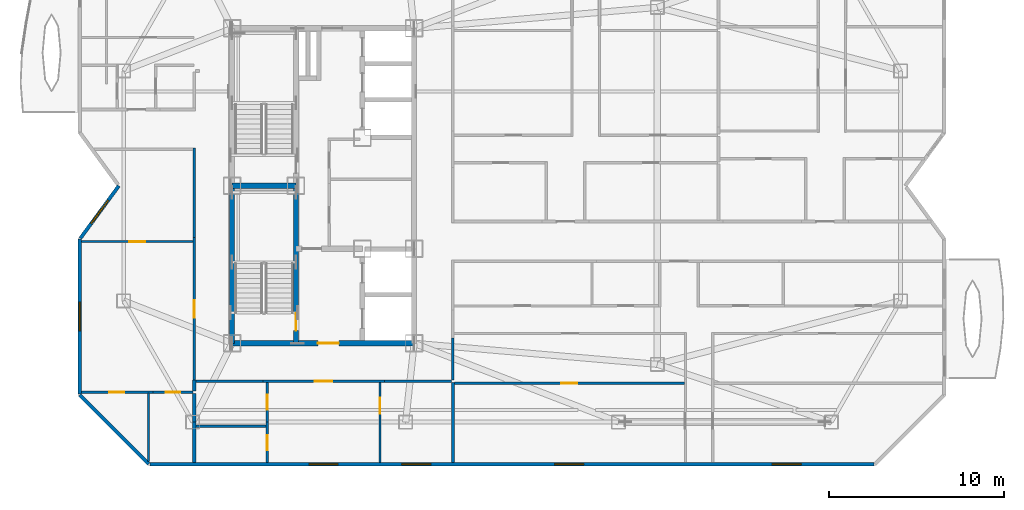
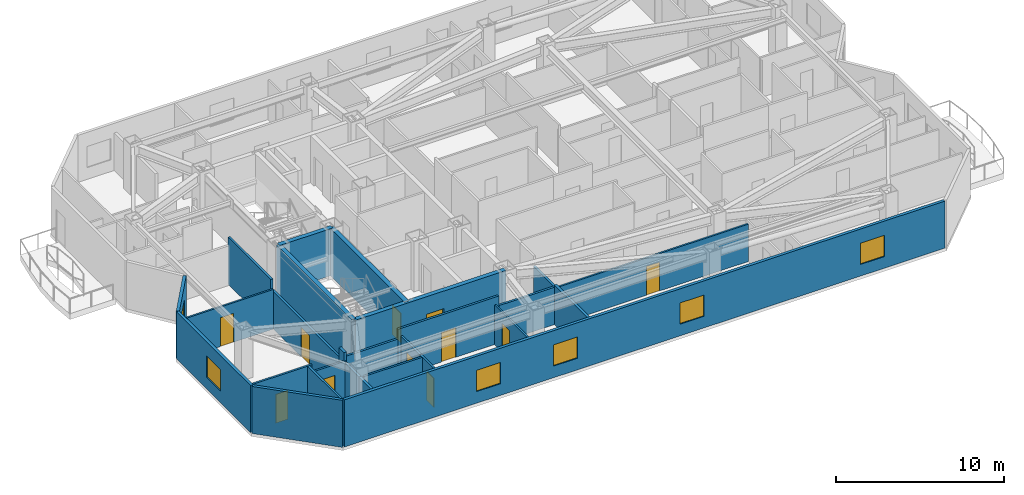
# One storey, part 4 of 11: 27 walls, 11 doors, 6 windows, 17 openings.
"""IFC4 building model written with IfcOpenShell, lengths in metres."""

from ifc_helpers import new_model, si_unit, direction, frame, frame_2d, origin, place, context, subcontext, project, spatial, rectangle, extrude, material, layer, layer_set, type_object, element, fill, save


model = new_model("IFC4")

# Units and contexts
model_context = context("Model", 3, precision=1e-05, world=origin(), true_north=direction((0.0, 1.0)))
body_context = subcontext(model_context, "Body", "Model", "MODEL_VIEW")
ifc_project = project(units=[si_unit("LENGTHUNIT", "METRE"), si_unit("AREAUNIT", "SQUARE_METRE"), si_unit("VOLUMEUNIT", "CUBIC_METRE"), si_unit("PLANEANGLEUNIT", "RADIAN"), si_unit("MASSUNIT", "GRAM", prefix="KILO")], contexts=[model_context])

# Site, building, storey
site_placement = place(None, origin())
site = spatial("IfcSite", under=ifc_project, at=site_placement, CompositionType="ELEMENT")
building_placement = place(site_placement, origin())
building = spatial("IfcBuilding", under=site, at=building_placement, Name="Khamvora Tower", CompositionType="ELEMENT")
storey_placement = place(building_placement, frame((0.0, 0.0, 239.10009765625)))
storey = spatial("IfcBuildingStorey", under=building, at=storey_placement, Name="L61", CompositionType="ELEMENT", Elevation=239.10009765625)

# Wall
ifc_material_1 = material(Name="Concrete C50/60", Category="concrete")
ifc_layer_1 = layer(ifc_material_1, 0.300048828125)
ifc_layer_set_1 = layer_set([ifc_layer_1], Name="Concrete C50/60")
wall_type_1 = type_object("IfcWallType", Name="WAL-CORE-300", PredefinedType="SHEAR", material=ifc_layer_set_1)
wall_1_placement = place(storey_placement, frame((29.0, 19.0, 0.0), z_axis=(0.0, 0.0, 1.0), x_axis=(0.0, 1.0, 0.0)))
element("IfcWall", 1, at=wall_1_placement, inside=storey, type_object=wall_type_1, Name="L61 central core west south wall", PredefinedType="SHEAR", context=body_context, shape_type="SweptSolid", body=[
    extrude(rectangle(XDim=9.0, YDim=0.300048828125, at=frame_2d((4.5, 0.0))), origin(), (0.0, 0.0, 1.0), 3.429931640625),
])

# Wall, opening, door
wall_2_placement = place(storey_placement, frame((29.0, 19.0, 0.0), z_axis=(0.0, 0.0, 1.0), x_axis=(1.0, 0.0, 0.0)))
wall_2 = element("IfcWall", 2, at=wall_2_placement, inside=storey, type_object=wall_type_1, Name="L61 central core south wall", PredefinedType="SHEAR", context=body_context, shape_type="SweptSolid", body=[
    extrude(rectangle(XDim=10.39990234375, YDim=0.300048828125, at=frame_2d((5.199951171875, 0.0))), origin(), (0.0, 0.0, 1.0), 3.429931640625),
])
opening_1_placement = place(wall_2_placement, frame((4.89990234375, 0.0, 0.0)))
opening_1 = element("IfcOpeningElement", 3, at=opening_1_placement, cuts=wall_2, Name="Opening D-CR1", PredefinedType="OPENING", context=body_context, shape_type="SweptSolid", body=[
    extrude(rectangle(XDim=1.199951171875, YDim=2.14990234375, at=frame_2d((0.60009765625, 1.074951171875))), frame((0.0, 0.159912109375, 0.0), z_axis=(0.0, -1.0, 0.0), x_axis=(1.0, 0.0, 0.0)), (0.0, 0.0, 1.0), 0.320068359375),
])
ifc_material_2 = material(Name="Powder-Coated Steel and Hardwood Leaf", Category="steel")
door_type_1 = type_object("IfcDoorType", Name="DOR-CORR-1200", OperationType="NOTDEFINED", PredefinedType="DOOR", material=ifc_material_2)
door_1_placement = place(opening_1_placement, origin())
door_1 = element("IfcDoor", 4, at=door_1_placement, inside=storey, type_object=door_type_1, Name="L61 south core lobby to corridor fire door", OperationType="SINGLE_SWING_LEFT", OverallHeight=2.14990234375, OverallWidth=1.199951171875, PredefinedType="DOOR", context=body_context, shape_type="SweptSolid", body=[
    extrude(rectangle(XDim=1.199951171875, YDim=2.14990234375, at=frame_2d((0.60009765625, 1.074951171875))), frame((0.0, 0.02490234375, 0.0), z_axis=(0.0, -1.0, 0.0), x_axis=(1.0, 0.0, 0.0)), (0.0, 0.0, 1.0), 0.050048828125),
])
fill(opening_1, door_1)

wall_3_placement = place(storey_placement, frame((32.64990234375, 19.0, 0.0), z_axis=(0.0, 0.0, 1.0), x_axis=(0.0, 1.0, 0.0)))
wall_3 = element("IfcWall", 5, at=wall_3_placement, inside=storey, type_object=wall_type_1, Name="L61 central core stair south spine wall", PredefinedType="SHEAR", context=body_context, shape_type="SweptSolid", body=[
    extrude(rectangle(XDim=9.0, YDim=0.300048828125, at=frame_2d((4.5, 0.0))), origin(), (0.0, 0.0, 1.0), 3.429931640625),
])
opening_2_placement = place(wall_3_placement, frame((0.719970703125, 0.0, 0.0)))
opening_2 = element("IfcOpeningElement", 6, at=opening_2_placement, cuts=wall_3, Name="Opening D-ST1", PredefinedType="OPENING", context=body_context, shape_type="SweptSolid", body=[
    extrude(rectangle(XDim=1.0, YDim=2.14990234375, at=frame_2d((0.5, 1.074951171875))), frame((0.0, 0.159912109375, 0.0), z_axis=(0.0, -1.0, 0.0), x_axis=(1.0, 0.0, 0.0)), (0.0, 0.0, 1.0), 0.320068359375),
])
door_type_2 = type_object("IfcDoorType", Name="DOR-STAIR-1000", OperationType="NOTDEFINED", PredefinedType="DOOR", material=ifc_material_2)
door_2_placement = place(opening_2_placement, origin())
door_2 = element("IfcDoor", 7, at=door_2_placement, inside=storey, type_object=door_type_2, Name="L61 exit stair ST-01 fire door", OperationType="SINGLE_SWING_RIGHT", OverallHeight=2.14990234375, OverallWidth=1.0, PredefinedType="DOOR", context=body_context, shape_type="SweptSolid", body=[
    extrude(rectangle(XDim=1.0, YDim=2.14990234375, at=frame_2d((0.5, 1.074951171875))), frame((0.0, 0.02490234375, 0.0), z_axis=(0.0, -1.0, 0.0), x_axis=(1.0, 0.0, 0.0)), (0.0, 0.0, 1.0), 0.050048828125),
])
fill(opening_2, door_2)

# Wall
wall_4_placement = place(storey_placement, frame((29.0, 28.0, 0.0), z_axis=(0.0, 0.0, 1.0), x_axis=(1.0, 0.0, 0.0)))
element("IfcWall", 8, at=wall_4_placement, inside=storey, type_object=wall_type_1, Name="L61 central core stair cross wall", PredefinedType="SHEAR", context=body_context, shape_type="SweptSolid", body=[
    extrude(rectangle(XDim=3.64990234375, YDim=0.300048828125, at=frame_2d((1.824951171875, 0.0))), origin(), (0.0, 0.0, 1.0), 3.429931640625),
])

# Wall, opening, door
ifc_material_3 = material(Name="Fire-Rated Drywall and Steel Stud", Category="steel")
ifc_layer_2 = layer(ifc_material_3, 0.14990234375)
ifc_layer_set_2 = layer_set([ifc_layer_2], Name="Fire-Rated Drywall and Steel Stud")
wall_type_2 = type_object("IfcWallType", Name="WAL-CORR-150", PredefinedType="STANDARD", material=ifc_layer_set_2)
wall_5_placement = place(storey_placement, frame((26.8349609375, 16.89990234375, 0.0), z_axis=(0.0, 0.0, 1.0), x_axis=(0.0, 1.0, 0.0)))
wall_5 = element("IfcWall", 9, at=wall_5_placement, inside=storey, type_object=wall_type_2, Name="L61 interior partition wall 005", PredefinedType="STANDARD", context=body_context, shape_type="SweptSolid", body=[
    extrude(rectangle(XDim=8.1591796875, YDim=0.14990234375, at=frame_2d((4.07958984375, 0.0))), origin(), (0.0, 0.0, 1.0), 2.724853515625),
])
opening_3_placement = place(wall_5_placement, frame((3.55908203125, 0.0, 0.0)))
opening_3 = element("IfcOpeningElement", 10, at=opening_3_placement, cuts=wall_5, Name="Opening D-U1", PredefinedType="OPENING", context=body_context, shape_type="SweptSolid", body=[
    extrude(rectangle(XDim=1.0, YDim=2.14990234375, at=frame_2d((0.5, 1.074951171875))), frame((0.0, 0.0849609375, 0.0), z_axis=(0.0, -1.0, 0.0), x_axis=(1.0, 0.0, 0.0)), (0.0, 0.0, 1.0), 0.169921875),
])
door_type_3 = type_object("IfcDoorType", Name="DOR-UNIT-1000", OperationType="NOTDEFINED", PredefinedType="DOOR", material=ifc_material_2)
door_3_placement = place(opening_3_placement, origin())
door_3 = element("IfcDoor", 11, at=door_3_placement, inside=storey, type_object=door_type_3, Name="L61 interior door COR-61WAH", OperationType="SINGLE_SWING_LEFT", OverallHeight=2.14990234375, OverallWidth=1.0, PredefinedType="DOOR", context=body_context, shape_type="SweptSolid", body=[
    extrude(rectangle(XDim=1.0, YDim=2.14990234375, at=frame_2d((0.5, 1.074951171875))), frame((0.0, 0.02490234375, 0.0), z_axis=(0.0, -1.0, 0.0), x_axis=(1.0, 0.0, 0.0)), (0.0, 0.0, 1.0), 0.050048828125),
])
fill(opening_3, door_3)

# Wall
wall_6_placement = place(storey_placement, frame((26.8349609375, 25.05908203125, 0.0), z_axis=(0.0, 0.0, 1.0), x_axis=(0.0, 1.0, 0.0)))
element("IfcWall", 12, at=wall_6_placement, inside=storey, type_object=wall_type_2, Name="L61 interior partition wall 006", PredefinedType="STANDARD", context=body_context, shape_type="SweptSolid", body=[
    extrude(rectangle(XDim=5.0908203125, YDim=0.14990234375, at=frame_2d((2.54541015625, 0.0))), origin(), (0.0, 0.0, 1.0), 3.429931640625),
])

# Wall, opening, door
wall_7_placement = place(storey_placement, frame((37.698974609375, 16.8349609375, 0.0), z_axis=(0.0, 0.0, 1.0), x_axis=(-1.0, 0.0, 0.0)))
wall_7 = element("IfcWall", 13, at=wall_7_placement, inside=storey, type_object=wall_type_2, Name="L61 interior partition wall 012", PredefinedType="STANDARD", context=body_context, shape_type="SweptSolid", body=[
    extrude(rectangle(XDim=6.947998046875, YDim=0.14990234375, at=frame_2d((3.47412109375, 0.0))), origin(), (0.0, 0.0, 1.0), 3.429931640625),
])
opening_4_placement = place(wall_7_placement, frame((2.97412109375, 0.0, 0.0)))
opening_4 = element("IfcOpeningElement", 14, at=opening_4_placement, cuts=wall_7, Name="Opening D-U1", PredefinedType="OPENING", context=body_context, shape_type="SweptSolid", body=[
    extrude(rectangle(XDim=1.0, YDim=2.14990234375, at=frame_2d((0.5, 1.074951171875))), frame((0.0, 0.0849609375, 0.0), z_axis=(0.0, -1.0, 0.0), x_axis=(1.0, 0.0, 0.0)), (0.0, 0.0, 1.0), 0.169921875),
])
door_4_placement = place(opening_4_placement, origin())
door_4 = element("IfcDoor", 15, at=door_4_placement, inside=storey, type_object=door_type_3, Name="L61 interior door COR-61SAH", OperationType="SINGLE_SWING_LEFT", OverallHeight=2.14990234375, OverallWidth=1.0, PredefinedType="DOOR", context=body_context, shape_type="SweptSolid", body=[
    extrude(rectangle(XDim=1.0, YDim=2.14990234375, at=frame_2d((0.5, 1.074951171875))), frame((0.0, 0.02490234375, 0.0), z_axis=(0.0, -1.0, 0.0), x_axis=(1.0, 0.0, 0.0)), (0.0, 0.0, 1.0), 0.050048828125),
])
fill(opening_4, door_4)

# Walls
for number, where, z_axis, x_axis, name in (
    (16, (30.7509765625, 16.8349609375, 0.0), (0.0, 0.0, 1.0), (-1.0, 0.0, 0.0), "L61 interior partition wall 013"),
    (17, (41.550048828125, 16.8349609375, 0.0), (0.0, 0.0, 1.0), (-1.0, 0.0, 0.0), "L61 interior partition wall 014"),
):
    element("IfcWall", number, at=place(storey_placement, frame(where, z_axis=z_axis, x_axis=x_axis)), inside=storey, type_object=wall_type_2, Name=name, PredefinedType="STANDARD", context=body_context, shape_type="SweptSolid", body=[
        extrude(rectangle(XDim=3.85107421875, YDim=0.14990234375, at=frame_2d((1.925537109375, 0.0))), origin(), (0.0, 0.0, 1.0), 2.724853515625),
    ])
wall_8_placement = place(storey_placement, frame((41.614990234375, 19.31396484375, 0.0), z_axis=(0.0, 0.0, 1.0), x_axis=(0.0, -1.0, 0.0)))
element("IfcWall", 18, at=wall_8_placement, inside=storey, type_object=wall_type_2, Name="L61 interior partition wall 025", PredefinedType="STANDARD", context=body_context, shape_type="SweptSolid", body=[
    extrude(rectangle(XDim=2.4140625, YDim=0.14990234375, at=frame_2d((1.20703125, 0.0))), origin(), (0.0, 0.0, 1.0), 2.724853515625),
])
ifc_material_4 = material(Name="Acoustic Double-Stud Fire Wall", Category="gypsum")
ifc_layer_3 = layer(ifc_material_4, 0.179931640625)
ifc_layer_set_3 = layer_set([ifc_layer_3], Name="Acoustic Double-Stud Fire Wall")
wall_type_3 = type_object("IfcWallType", Name="WAL-CORR-180", PredefinedType="STANDARD", material=ifc_layer_set_3)
wall_9_placement = place(storey_placement, frame((26.8349609375, 16.89990234375, 0.0), z_axis=(0.0, 0.0, 1.0), x_axis=(0.0, -1.0, 0.0)))
element("IfcWall", 19, at=wall_9_placement, inside=storey, type_object=wall_type_3, Name="L61 interior partition wall 039", PredefinedType="STANDARD", context=body_context, shape_type="SweptSolid", body=[
    extrude(rectangle(XDim=0.625, YDim=0.179931640625, at=frame_2d((0.3125, 0.0))), origin(), (0.0, 0.0, 1.0), 3.429931640625),
])
wall_10_placement = place(storey_placement, frame((26.8349609375, 14.509033203125, 0.0), z_axis=(0.0, 0.0, 1.0), x_axis=(0.0, -1.0, 0.0)))
element("IfcWall", 20, at=wall_10_placement, inside=storey, type_object=wall_type_3, Name="L61 interior partition wall 041", PredefinedType="STANDARD", context=body_context, shape_type="SweptSolid", body=[
    extrude(rectangle(XDim=2.317138671875, YDim=0.179931640625, at=frame_2d((1.15869140625, 0.0))), origin(), (0.0, 0.0, 1.0), 2.724853515625),
])
wall_11_placement = place(storey_placement, frame((26.8349609375, 16.14501953125, 0.0), z_axis=(0.0, 0.0, 1.0), x_axis=(0.0, -1.0, 0.0)))
element("IfcWall", 21, at=wall_11_placement, inside=storey, type_object=wall_type_3, Name="L61 interior partition wall 042", PredefinedType="STANDARD", context=body_context, shape_type="SweptSolid", body=[
    extrude(rectangle(XDim=1.635986328125, YDim=0.179931640625, at=frame_2d((0.81787109375, 0.0))), origin(), (0.0, 0.0, 1.0), 2.724853515625),
])
wall_12_placement = place(storey_placement, frame((41.614990234375, 16.77001953125, 0.0), z_axis=(0.0, 0.0, 1.0), x_axis=(0.0, -1.0, 0.0)))
element("IfcWall", 22, at=wall_12_placement, inside=storey, type_object=wall_type_3, Name="L61 interior partition wall 055", PredefinedType="STANDARD", context=body_context, shape_type="SweptSolid", body=[
    extrude(rectangle(XDim=4.578125, YDim=0.179931640625, at=frame_2d((2.2890625, 0.0))), origin(), (0.0, 0.0, 1.0), 2.886962890625),
])
ifc_material_5 = material(Name="Precast concrete C40/50", Category="concrete")
ifc_layer_4 = layer(ifc_material_5, 0.199951171875)
ifc_layer_set_4 = layer_set([ifc_layer_4], Name="Precast concrete C40/50")
wall_type_4 = type_object("IfcWallType", Name="WAL-EXT-200", PredefinedType="STANDARD", material=ifc_layer_set_4)
wall_13_placement = place(storey_placement, frame((24.240966796875, 12.10009765625, 0.0), z_axis=(0.0, 0.0, 1.0), x_axis=(-0.707106781187, 0.707106781187, 0.0)))
element("IfcWall", 23, at=wall_13_placement, inside=storey, type_object=wall_type_4, Name="L61 exterior facade wall 01.1", PredefinedType="STANDARD", context=body_context, shape_type="SweptSolid", body=[
    extrude(rectangle(XDim=5.5732421875, YDim=0.199951171875, at=frame_2d((2.78662109375, 0.0))), origin(), (0.0, 0.0, 1.0), 3.429931640625),
])

# Wall, opening, window
wall_14_placement = place(storey_placement, frame((20.300048828125, 16.10400390625, 0.0), z_axis=(0.0, 0.0, 1.0), x_axis=(0.0, 1.0, 0.0)))
wall_14 = element("IfcWall", 24, at=wall_14_placement, inside=storey, type_object=wall_type_4, Name="L61 exterior facade wall 02.1", PredefinedType="STANDARD", context=body_context, shape_type="SweptSolid", body=[
    extrude(rectangle(XDim=8.863037109375, YDim=0.199951171875, at=frame_2d((4.431640625, 0.0))), origin(), (0.0, 0.0, 1.0), 3.429931640625),
])
opening_5_placement = place(wall_14_placement, frame((3.60595703125, 0.0, 0.85009765625)))
opening_5 = element("IfcOpeningElement", 25, at=opening_5_placement, cuts=wall_14, Name="Opening WN-06", PredefinedType="OPENING", context=body_context, shape_type="SweptSolid", body=[
    extrude(rectangle(XDim=1.64990234375, YDim=1.550048828125, at=frame_2d((0.824951171875, 0.77490234375))), frame((0.0, 0.10986328125, 0.0), z_axis=(0.0, -1.0, 0.0), x_axis=(1.0, 0.0, 0.0)), (0.0, 0.0, 1.0), 0.219970703125),
])
ifc_material_6 = material(Name="Low-E Laminated Double Glazing", Category="glass")
window_type = type_object("IfcWindowType", Name="WIN-VIS-1650x1550", PartitioningType="SINGLE_PANEL", PredefinedType="WINDOW", material=ifc_material_6)
window_1_placement = place(opening_5_placement, origin())
window_1 = element("IfcWindow", 26, at=window_1_placement, inside=storey, type_object=window_type, Name="L61 vision window 02.1.01", OverallHeight=1.550048828125, OverallWidth=1.64990234375, PartitioningType="SINGLE_PANEL", PredefinedType="WINDOW", context=body_context, shape_type="SweptSolid", body=[
    extrude(rectangle(XDim=1.64990234375, YDim=1.550048828125, at=frame_2d((0.824951171875, 0.77490234375))), frame((0.0, 0.030029296875, 0.0), z_axis=(0.0, -1.0, 0.0), x_axis=(1.0, 0.0, 0.0)), (0.0, 0.0, 1.0), 0.06005859375),
])
fill(opening_5, window_1)

wall_15_placement = place(storey_placement, frame((20.3291015625, 25.007080078125, 0.0), z_axis=(0.0, 0.0, 1.0), x_axis=(0.591366515379, 0.806402904564, 0.0)))
wall_15 = element("IfcWall", 27, at=wall_15_placement, inside=storey, type_object=wall_type_4, Name="L61 exterior facade wall 03.1", PredefinedType="STANDARD", context=body_context, shape_type="SweptSolid", body=[
    extrude(rectangle(XDim=3.71142578125, YDim=0.199951171875, at=frame_2d((1.855712890625, 0.0))), origin(), (0.0, 0.0, 1.0), 3.429931640625),
])
opening_6_placement = place(wall_15_placement, frame((1.031005859375, 0.0, 0.85009765625)))
opening_6 = element("IfcOpeningElement", 28, at=opening_6_placement, cuts=wall_15, Name="Opening WN-06", PredefinedType="OPENING", context=body_context, shape_type="SweptSolid", body=[
    extrude(rectangle(XDim=1.64990234375, YDim=1.550048828125, at=frame_2d((0.824951171875, 0.77490234375))), frame((0.0, 0.10986328125, 0.0), z_axis=(0.0, -1.0, 0.0), x_axis=(1.0, 0.0, 0.0)), (0.0, 0.0, 1.0), 0.219970703125),
])
window_2_placement = place(opening_6_placement, origin())
window_2 = element("IfcWindow", 29, at=window_2_placement, inside=storey, type_object=window_type, Name="L61 vision window 03.1.01", OverallHeight=1.550048828125, OverallWidth=1.64990234375, PartitioningType="SINGLE_PANEL", PredefinedType="WINDOW", context=body_context, shape_type="SweptSolid", body=[
    extrude(rectangle(XDim=1.64990234375, YDim=1.550048828125, at=frame_2d((0.824951171875, 0.77490234375))), frame((0.0, 0.030029296875, 0.0), z_axis=(0.0, -1.0, 0.0), x_axis=(1.0, 0.0, 0.0)), (0.0, 0.0, 1.0), 0.06005859375),
])
fill(opening_6, window_2)

# Wall, openings, windows
wall_16_placement = place(storey_placement, frame((65.696044921875, 12.10009765625, 0.0), z_axis=(0.0, 0.0, 1.0), x_axis=(-1.0, 0.0, 0.0)))
wall_16 = element("IfcWall", 30, at=wall_16_placement, inside=storey, type_object=wall_type_4, Name="L61 exterior facade wall 14.1", PredefinedType="STANDARD", context=body_context, shape_type="SweptSolid", body=[
    extrude(rectangle(XDim=41.39306640625, YDim=0.199951171875, at=frame_2d((20.696533203125, 0.0))), origin(), (0.0, 0.0, 1.0), 3.429931640625),
])
opening_7_placement = place(wall_16_placement, frame((30.64599609375, 0.0, 0.85009765625)))
opening_7 = element("IfcOpeningElement", 31, at=opening_7_placement, cuts=wall_16, Name="Opening WN-06", PredefinedType="OPENING", context=body_context, shape_type="SweptSolid", body=[
    extrude(rectangle(XDim=1.64990234375, YDim=1.550048828125, at=frame_2d((0.824951171875, 0.77490234375))), frame((0.0, 0.10986328125, 0.0), z_axis=(0.0, -1.0, 0.0), x_axis=(1.0, 0.0, 0.0)), (0.0, 0.0, 1.0), 0.219970703125),
])
opening_8_placement = place(wall_16_placement, frame((25.339111328125, 0.0, 0.85009765625)))
opening_8 = element("IfcOpeningElement", 32, at=opening_8_placement, cuts=wall_16, Name="Opening WN-06", PredefinedType="OPENING", context=body_context, shape_type="SweptSolid", body=[
    extrude(rectangle(XDim=1.64990234375, YDim=1.550048828125, at=frame_2d((0.824951171875, 0.77490234375))), frame((0.0, 0.10986328125, 0.0), z_axis=(0.0, -1.0, 0.0), x_axis=(1.0, 0.0, 0.0)), (0.0, 0.0, 1.0), 0.219970703125),
])
opening_9_placement = place(wall_16_placement, frame((16.613037109375, 0.0, 0.85009765625)))
opening_9 = element("IfcOpeningElement", 33, at=opening_9_placement, cuts=wall_16, Name="Opening WN-06", PredefinedType="OPENING", context=body_context, shape_type="SweptSolid", body=[
    extrude(rectangle(XDim=1.64990234375, YDim=1.550048828125, at=frame_2d((0.824951171875, 0.77490234375))), frame((0.0, 0.10986328125, 0.0), z_axis=(0.0, -1.0, 0.0), x_axis=(1.0, 0.0, 0.0)), (0.0, 0.0, 1.0), 0.219970703125),
])
opening_10_placement = place(wall_16_placement, frame((4.179931640625, 0.0, 0.85009765625)))
opening_10 = element("IfcOpeningElement", 34, at=opening_10_placement, cuts=wall_16, Name="Opening WN-06", PredefinedType="OPENING", context=body_context, shape_type="SweptSolid", body=[
    extrude(rectangle(XDim=1.64990234375, YDim=1.550048828125, at=frame_2d((0.824951171875, 0.77490234375))), frame((0.0, 0.10986328125, 0.0), z_axis=(0.0, -1.0, 0.0), x_axis=(1.0, 0.0, 0.0)), (0.0, 0.0, 1.0), 0.219970703125),
])
window_3_placement = place(opening_7_placement, origin())
window_3 = element("IfcWindow", 35, at=window_3_placement, inside=storey, type_object=window_type, Name="L61 vision window 14.1.01", OverallHeight=1.550048828125, OverallWidth=1.64990234375, PartitioningType="SINGLE_PANEL", PredefinedType="WINDOW", context=body_context, shape_type="SweptSolid", body=[
    extrude(rectangle(XDim=1.64990234375, YDim=1.550048828125, at=frame_2d((0.824951171875, 0.77490234375))), frame((0.0, 0.030029296875, 0.0), z_axis=(0.0, -1.0, 0.0), x_axis=(1.0, 0.0, 0.0)), (0.0, 0.0, 1.0), 0.06005859375),
])
fill(opening_7, window_3)
window_4_placement = place(opening_8_placement, origin())
window_4 = element("IfcWindow", 36, at=window_4_placement, inside=storey, type_object=window_type, Name="L61 vision window 14.1.02", OverallHeight=1.550048828125, OverallWidth=1.64990234375, PartitioningType="SINGLE_PANEL", PredefinedType="WINDOW", context=body_context, shape_type="SweptSolid", body=[
    extrude(rectangle(XDim=1.64990234375, YDim=1.550048828125, at=frame_2d((0.824951171875, 0.77490234375))), frame((0.0, 0.030029296875, 0.0), z_axis=(0.0, -1.0, 0.0), x_axis=(1.0, 0.0, 0.0)), (0.0, 0.0, 1.0), 0.06005859375),
])
fill(opening_8, window_4)
window_5_placement = place(opening_9_placement, origin())
window_5 = element("IfcWindow", 37, at=window_5_placement, inside=storey, type_object=window_type, Name="L61 vision window 14.1.03", OverallHeight=1.550048828125, OverallWidth=1.64990234375, PartitioningType="SINGLE_PANEL", PredefinedType="WINDOW", context=body_context, shape_type="SweptSolid", body=[
    extrude(rectangle(XDim=1.64990234375, YDim=1.550048828125, at=frame_2d((0.824951171875, 0.77490234375))), frame((0.0, 0.030029296875, 0.0), z_axis=(0.0, -1.0, 0.0), x_axis=(1.0, 0.0, 0.0)), (0.0, 0.0, 1.0), 0.06005859375),
])
fill(opening_9, window_5)
window_6_placement = place(opening_10_placement, origin())
window_6 = element("IfcWindow", 38, at=window_6_placement, inside=storey, type_object=window_type, Name="L61 vision window 14.1.04", OverallHeight=1.550048828125, OverallWidth=1.64990234375, PartitioningType="SINGLE_PANEL", PredefinedType="WINDOW", context=body_context, shape_type="SweptSolid", body=[
    extrude(rectangle(XDim=1.64990234375, YDim=1.550048828125, at=frame_2d((0.824951171875, 0.77490234375))), frame((0.0, 0.030029296875, 0.0), z_axis=(0.0, -1.0, 0.0), x_axis=(1.0, 0.0, 0.0)), (0.0, 0.0, 1.0), 0.06005859375),
])
fill(opening_10, window_6)

# Wall, opening, door
ifc_material_7 = material(Name="Gypsum Plasterboard Partition", Category="gypsum")
ifc_layer_5 = layer(ifc_material_7, 0.1201171875)
ifc_layer_set_5 = layer_set([ifc_layer_5], Name="Gypsum Plasterboard Partition")
wall_type_5 = type_object("IfcWallType", Name="WAL-PART-120", PredefinedType="PARTITIONING", material=ifc_layer_set_5)
wall_17_placement = place(storey_placement, frame((20.39208984375, 24.81005859375, 0.0), z_axis=(0.0, 0.0, 1.0), x_axis=(1.0, 0.0, 0.0)))
wall_17 = element("IfcWall", 39, at=wall_17_placement, inside=storey, type_object=wall_type_5, Name="L61 interior partition wall 038", PredefinedType="PARTITIONING", context=body_context, shape_type="SweptSolid", body=[
    extrude(rectangle(XDim=6.3779296875, YDim=0.1201171875, at=frame_2d((3.18896484375, 0.0))), origin(), (0.0, 0.0, 1.0), 2.886962890625),
])
opening_11_placement = place(wall_17_placement, frame((2.739013671875, 0.0, 0.0)))
opening_11 = element("IfcOpeningElement", 40, at=opening_11_placement, cuts=wall_17, Name="Opening D-RM1", PredefinedType="OPENING", context=body_context, shape_type="SweptSolid", body=[
    extrude(rectangle(XDim=0.89990234375, YDim=2.10009765625, at=frame_2d((0.449951171875, 1.050048828125))), frame((0.0, 0.070068359375, 0.0), z_axis=(0.0, -1.0, 0.0), x_axis=(1.0, 0.0, 0.0)), (0.0, 0.0, 1.0), 0.14013671875),
])
door_type_4 = type_object("IfcDoorType", Name="DOR-ROOM-900", OperationType="NOTDEFINED", PredefinedType="DOOR", material=ifc_material_2)
door_5_placement = place(opening_11_placement, origin())
door_5 = element("IfcDoor", 41, at=door_5_placement, inside=storey, type_object=door_type_4, Name="L61 interior door 61WAH-61WAR1", OperationType="SINGLE_SWING_RIGHT", OverallHeight=2.10009765625, OverallWidth=0.89990234375, PredefinedType="DOOR", context=body_context, shape_type="SweptSolid", body=[
    extrude(rectangle(XDim=0.89990234375, YDim=2.10009765625, at=frame_2d((0.449951171875, 1.050048828125))), frame((0.0, 0.02490234375, 0.0), z_axis=(0.0, -1.0, 0.0), x_axis=(1.0, 0.0, 0.0)), (0.0, 0.0, 1.0), 0.050048828125),
])
fill(opening_11, door_5)

wall_18_placement = place(storey_placement, frame((37.449951171875, 16.77001953125, 0.0), z_axis=(0.0, 0.0, 1.0), x_axis=(0.0, -1.0, 0.0)))
wall_18 = element("IfcWall", 42, at=wall_18_placement, inside=storey, type_object=wall_type_5, Name="L61 interior partition wall 053", PredefinedType="PARTITIONING", context=body_context, shape_type="SweptSolid", body=[
    extrude(rectangle(XDim=4.578125, YDim=0.1201171875, at=frame_2d((2.2890625, 0.0))), origin(), (0.0, 0.0, 1.0), 2.886962890625),
])
opening_12_placement = place(wall_18_placement, frame((0.884033203125, 0.0, 0.0)))
opening_12 = element("IfcOpeningElement", 43, at=opening_12_placement, cuts=wall_18, Name="Opening D-RM1", PredefinedType="OPENING", context=body_context, shape_type="SweptSolid", body=[
    extrude(rectangle(XDim=0.89990234375, YDim=2.10009765625, at=frame_2d((0.449951171875, 1.050048828125))), frame((0.0, 0.070068359375, 0.0), z_axis=(0.0, -1.0, 0.0), x_axis=(1.0, 0.0, 0.0)), (0.0, 0.0, 1.0), 0.14013671875),
])
door_6_placement = place(opening_12_placement, origin())
door_6 = element("IfcDoor", 44, at=door_6_placement, inside=storey, type_object=door_type_4, Name="L61 interior door 61SAH-61SAR1", OperationType="SINGLE_SWING_RIGHT", OverallHeight=2.10009765625, OverallWidth=0.89990234375, PredefinedType="DOOR", context=body_context, shape_type="SweptSolid", body=[
    extrude(rectangle(XDim=0.89990234375, YDim=2.10009765625, at=frame_2d((0.449951171875, 1.050048828125))), frame((0.0, 0.02490234375, 0.0), z_axis=(0.0, -1.0, 0.0), x_axis=(1.0, 0.0, 0.0)), (0.0, 0.0, 1.0), 0.050048828125),
])
fill(opening_12, door_6)

wall_19_placement = place(storey_placement, frame((41.697021484375, 16.720947265625, 0.0), z_axis=(0.0, 0.0, 1.0), x_axis=(1.0, 0.0, 0.0)))
wall_19 = element("IfcWall", 45, at=wall_19_placement, inside=storey, type_object=wall_type_5, Name="L61 interior partition wall 075", PredefinedType="PARTITIONING", context=body_context, shape_type="SweptSolid", body=[
    extrude(rectangle(XDim=13.14892578125, YDim=0.1201171875, at=frame_2d((6.574462890625, 0.0))), origin(), (0.0, 0.0, 1.0), 2.724853515625),
])
opening_13_placement = place(wall_19_placement, frame((6.1240234375, 0.0, 0.0)))
opening_13 = element("IfcOpeningElement", 46, at=opening_13_placement, cuts=wall_19, Name="Opening D-RM1", PredefinedType="OPENING", context=body_context, shape_type="SweptSolid", body=[
    extrude(rectangle(XDim=0.89990234375, YDim=2.10009765625, at=frame_2d((0.449951171875, 1.050048828125))), frame((0.0, 0.070068359375, 0.0), z_axis=(0.0, -1.0, 0.0), x_axis=(1.0, 0.0, 0.0)), (0.0, 0.0, 1.0), 0.14013671875),
])
door_7_placement = place(opening_13_placement, origin())
door_7 = element("IfcDoor", 47, at=door_7_placement, inside=storey, type_object=door_type_4, Name="L61 interior door 61EAR1-61EAR2", OperationType="SINGLE_SWING_LEFT", OverallHeight=2.10009765625, OverallWidth=0.89990234375, PredefinedType="DOOR", context=body_context, shape_type="SweptSolid", body=[
    extrude(rectangle(XDim=0.89990234375, YDim=2.10009765625, at=frame_2d((0.449951171875, 1.050048828125))), frame((0.0, 0.02490234375, 0.0), z_axis=(0.0, -1.0, 0.0), x_axis=(1.0, 0.0, 0.0)), (0.0, 0.0, 1.0), 0.050048828125),
])
fill(opening_13, door_7)

ifc_material_8 = material(Name="Moisture-Resistant Plasterboard Partition", Category="gypsum")
ifc_layer_6 = layer(ifc_material_8, 0.135009765625)
ifc_layer_set_6 = layer_set([ifc_layer_6], Name="Moisture-Resistant Plasterboard Partition")
wall_type_6 = type_object("IfcWallType", Name="WAL-WET-135", PredefinedType="PARTITIONING", material=ifc_layer_set_6)
wall_20_placement = place(storey_placement, frame((24.468994140625, 16.2099609375, 0.0), z_axis=(0.0, 0.0, 1.0), x_axis=(-1.0, 0.0, 0.0)))
wall_20 = element("IfcWall", 48, at=wall_20_placement, inside=storey, type_object=wall_type_6, Name="L61 interior partition wall 036", PredefinedType="PARTITIONING", context=body_context, shape_type="SweptSolid", body=[
    extrude(rectangle(XDim=4.076904296875, YDim=0.135009765625, at=frame_2d((2.03857421875, 0.0))), origin(), (0.0, 0.0, 1.0), 3.429931640625),
])
opening_14_placement = place(wall_20_placement, frame((1.634033203125, 0.0, 0.0)))
opening_14 = element("IfcOpeningElement", 49, at=opening_14_placement, cuts=wall_20, Name="Opening D-WC1", PredefinedType="OPENING", context=body_context, shape_type="SweptSolid", body=[
    extrude(rectangle(XDim=0.85009765625, YDim=2.10009765625, at=frame_2d((0.425048828125, 1.050048828125))), frame((0.0, 0.077392578125, 0.0), z_axis=(0.0, -1.0, 0.0), x_axis=(1.0, 0.0, 0.0)), (0.0, 0.0, 1.0), 0.155029296875),
])
door_type_5 = type_object("IfcDoorType", Name="DOR-WET-850", OperationType="NOTDEFINED", PredefinedType="DOOR", material=ifc_material_2)
door_8_placement = place(opening_14_placement, origin())
door_8 = element("IfcDoor", 50, at=door_8_placement, inside=storey, type_object=door_type_5, Name="L61 interior door 61WAH-61WAB", OperationType="SINGLE_SWING_RIGHT", OverallHeight=2.10009765625, OverallWidth=0.85009765625, PredefinedType="DOOR", context=body_context, shape_type="SweptSolid", body=[
    extrude(rectangle(XDim=0.85009765625, YDim=2.10009765625, at=frame_2d((0.425048828125, 1.050048828125))), frame((0.0, 0.02490234375, 0.0), z_axis=(0.0, -1.0, 0.0), x_axis=(1.0, 0.0, 0.0)), (0.0, 0.0, 1.0), 0.050048828125),
])
fill(opening_14, door_8)

wall_21_placement = place(storey_placement, frame((26.77001953125, 16.2099609375, 0.0), z_axis=(0.0, 0.0, 1.0), x_axis=(-1.0, 0.0, 0.0)))
wall_21 = element("IfcWall", 51, at=wall_21_placement, inside=storey, type_object=wall_type_6, Name="L61 interior partition wall 037", PredefinedType="PARTITIONING", context=body_context, shape_type="SweptSolid", body=[
    extrude(rectangle(XDim=2.301025390625, YDim=0.135009765625, at=frame_2d((1.150390625, 0.0))), origin(), (0.0, 0.0, 1.0), 2.886962890625),
])
opening_15_placement = place(wall_21_placement, frame((0.72607421875, 0.0, 0.0)))
opening_15 = element("IfcOpeningElement", 52, at=opening_15_placement, cuts=wall_21, Name="Opening D-RM2", PredefinedType="OPENING", context=body_context, shape_type="SweptSolid", body=[
    extrude(rectangle(XDim=0.85009765625, YDim=2.10009765625, at=frame_2d((0.425048828125, 1.050048828125))), frame((0.0, 0.077392578125, 0.0), z_axis=(0.0, -1.0, 0.0), x_axis=(1.0, 0.0, 0.0)), (0.0, 0.0, 1.0), 0.155029296875),
])
door_type_6 = type_object("IfcDoorType", Name="DOR-ROOM-850", OperationType="NOTDEFINED", PredefinedType="DOOR", material=ifc_material_2)
door_9_placement = place(opening_15_placement, origin())
door_9 = element("IfcDoor", 53, at=door_9_placement, inside=storey, type_object=door_type_6, Name="L61 interior door 61WAH-61WAK", OperationType="SINGLE_SWING_LEFT", OverallHeight=2.10009765625, OverallWidth=0.85009765625, PredefinedType="DOOR", context=body_context, shape_type="SweptSolid", body=[
    extrude(rectangle(XDim=0.85009765625, YDim=2.10009765625, at=frame_2d((0.425048828125, 1.050048828125))), frame((0.0, 0.02490234375, 0.0), z_axis=(0.0, -1.0, 0.0), x_axis=(1.0, 0.0, 0.0)), (0.0, 0.0, 1.0), 0.050048828125),
])
fill(opening_15, door_9)

# Wall
wall_22_placement = place(storey_placement, frame((24.219970703125, 16.14892578125, 0.0), z_axis=(0.0, 0.0, 1.0), x_axis=(0.0, -1.0, 0.0)))
element("IfcWall", 54, at=wall_22_placement, inside=storey, type_object=wall_type_6, Name="L61 interior partition wall 040", PredefinedType="PARTITIONING", context=body_context, shape_type="SweptSolid", body=[
    extrude(rectangle(XDim=3.912841796875, YDim=0.135009765625, at=frame_2d((1.95654296875, 0.0))), origin(), (0.0, 0.0, 1.0), 3.429931640625),
])

# Wall, opening, door
wall_23_placement = place(storey_placement, frame((31.0, 12.19189453125, 0.0), z_axis=(0.0, 0.0, 1.0), x_axis=(0.0, 1.0, 0.0)))
wall_23 = element("IfcWall", 55, at=wall_23_placement, inside=storey, type_object=wall_type_6, Name="L61 interior partition wall 051", PredefinedType="PARTITIONING", context=body_context, shape_type="SweptSolid", body=[
    extrude(rectangle(XDim=2.317138671875, YDim=0.135009765625, at=frame_2d((1.15869140625, 0.0))), origin(), (0.0, 0.0, 1.0), 2.886962890625),
])
opening_16_placement = place(wall_23_placement, frame((0.7119140625, 0.0, 0.0)))
opening_16 = element("IfcOpeningElement", 56, at=opening_16_placement, cuts=wall_23, Name="Opening D-WC1", PredefinedType="OPENING", context=body_context, shape_type="SweptSolid", body=[
    extrude(rectangle(XDim=0.85009765625, YDim=2.10009765625, at=frame_2d((0.425048828125, 1.050048828125))), frame((0.0, 0.077392578125, 0.0), z_axis=(0.0, -1.0, 0.0), x_axis=(1.0, 0.0, 0.0)), (0.0, 0.0, 1.0), 0.155029296875),
])
door_10_placement = place(opening_16_placement, origin())
door_10 = element("IfcDoor", 57, at=door_10_placement, inside=storey, type_object=door_type_5, Name="L61 interior door 61SAH-61SAB", OperationType="SINGLE_SWING_LEFT", OverallHeight=2.10009765625, OverallWidth=0.85009765625, PredefinedType="DOOR", context=body_context, shape_type="SweptSolid", body=[
    extrude(rectangle(XDim=0.85009765625, YDim=2.10009765625, at=frame_2d((0.425048828125, 1.050048828125))), frame((0.0, 0.02490234375, 0.0), z_axis=(0.0, -1.0, 0.0), x_axis=(1.0, 0.0, 0.0)), (0.0, 0.0, 1.0), 0.050048828125),
])
fill(opening_16, door_10)

wall_24_placement = place(storey_placement, frame((31.0, 14.509033203125, 0.0), z_axis=(0.0, 0.0, 1.0), x_axis=(0.0, 1.0, 0.0)))
wall_24 = element("IfcWall", 58, at=wall_24_placement, inside=storey, type_object=wall_type_6, Name="L61 interior partition wall 052", PredefinedType="PARTITIONING", context=body_context, shape_type="SweptSolid", body=[
    extrude(rectangle(XDim=2.260986328125, YDim=0.135009765625, at=frame_2d((1.13037109375, 0.0))), origin(), (0.0, 0.0, 1.0), 2.886962890625),
])
opening_17_placement = place(wall_24_placement, frame((0.7060546875, 0.0, 0.0)))
opening_17 = element("IfcOpeningElement", 59, at=opening_17_placement, cuts=wall_24, Name="Opening D-RM2", PredefinedType="OPENING", context=body_context, shape_type="SweptSolid", body=[
    extrude(rectangle(XDim=0.85009765625, YDim=2.10009765625, at=frame_2d((0.425048828125, 1.050048828125))), frame((0.0, 0.077392578125, 0.0), z_axis=(0.0, -1.0, 0.0), x_axis=(1.0, 0.0, 0.0)), (0.0, 0.0, 1.0), 0.155029296875),
])
door_11_placement = place(opening_17_placement, origin())
door_11 = element("IfcDoor", 60, at=door_11_placement, inside=storey, type_object=door_type_6, Name="L61 interior door 61SAH-61SAK", OperationType="SINGLE_SWING_RIGHT", OverallHeight=2.10009765625, OverallWidth=0.85009765625, PredefinedType="DOOR", context=body_context, shape_type="SweptSolid", body=[
    extrude(rectangle(XDim=0.85009765625, YDim=2.10009765625, at=frame_2d((0.425048828125, 1.050048828125))), frame((0.0, 0.02490234375, 0.0), z_axis=(0.0, -1.0, 0.0), x_axis=(1.0, 0.0, 0.0)), (0.0, 0.0, 1.0), 0.050048828125),
])
fill(opening_17, door_11)

# Wall
wall_25_placement = place(storey_placement, frame((26.9169921875, 14.260009765625, 0.0), z_axis=(0.0, 0.0, 1.0), x_axis=(1.0, 0.0, 0.0)))
element("IfcWall", 61, at=wall_25_placement, inside=storey, type_object=wall_type_6, Name="L61 interior partition wall 054", PredefinedType="PARTITIONING", context=body_context, shape_type="SweptSolid", body=[
    extrude(rectangle(XDim=4.02197265625, YDim=0.135009765625, at=frame_2d((2.010986328125, 0.0))), origin(), (0.0, 0.0, 1.0), 2.886962890625),
])

save(model, "model.ifc")
